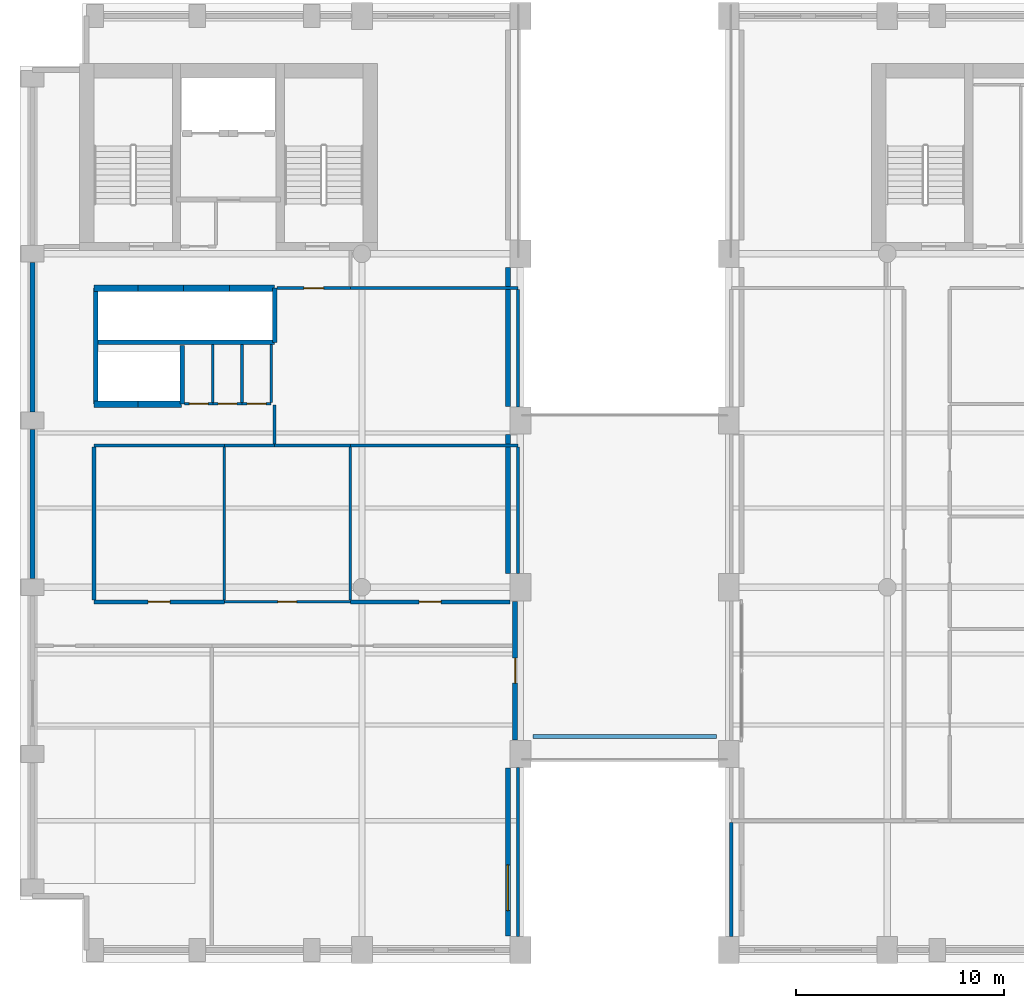
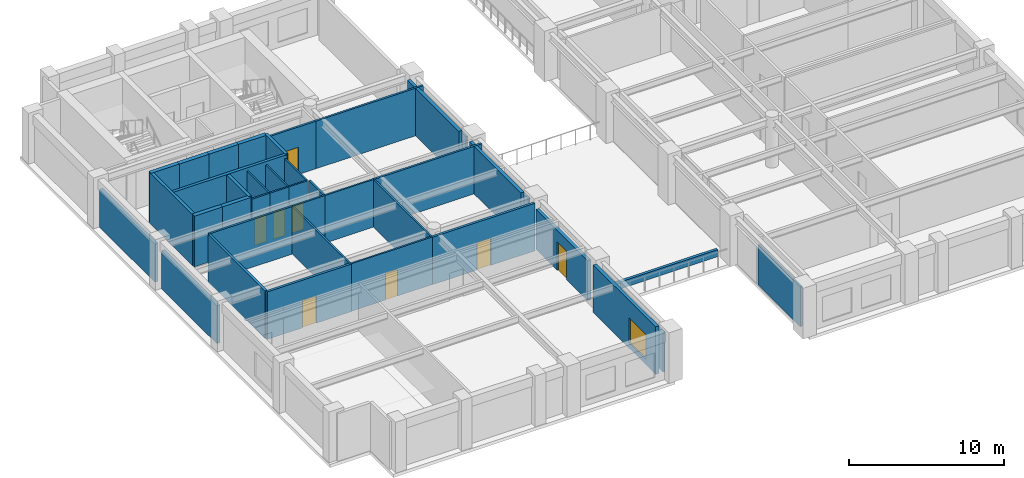
# One storey, part 4 of 10: 40 walls, 8 doors, 1 window, 9 openings.
"""IFC4 building model written with IfcOpenShell, lengths in metres."""

import ifcopenshell
import ifcopenshell.guid

model = None  # the IFC model being written
_history = None  # IfcOwnerHistory: only IFC2X3 demands one
_inside = {}  # id of a spatial element -> (the spatial element, [elements in it])
_under = {}  # id of a project, library or spatial element -> (it, [spatial elements below it])
_declared = {}  # id of a project -> (the project, [libraries it declares])
_typed = {}  # id of a type object -> (the type object, [elements of that type])
_made_of = {}  # id of a material, layer set ... -> (it, [elements and type objects made of it])


def new_model(schema):
    """Start an empty IFC model of exactly this schema.

    Asked for "IFC4X3", IfcOpenShell would pick the latest addendum, in which some entities
    have other attributes; the version numbers below select the first issue.
    IFC2X3 requires an IfcOwnerHistory on every rooted entity: one is made here for all.
    """
    global model, _history
    if schema == "IFC4X3":
        model = ifcopenshell.file(schema_version=(4, 3, 0, 0))
    else:
        model = ifcopenshell.file(schema=schema)
    _inside.clear()
    _under.clear()
    _declared.clear()
    _typed.clear()
    _made_of.clear()
    _history = None
    if model.schema == "IFC2X3":
        org = make("IfcOrganization", Name="unknown")
        user = make(
            "IfcPersonAndOrganization",
            ThePerson=make("IfcPerson", FamilyName="unknown"),
            TheOrganization=org,
        )
        app = make(
            "IfcApplication",
            ApplicationDeveloper=org,
            Version="unknown",
            ApplicationFullName="unknown",
            ApplicationIdentifier="unknown",
        )
        _history = make(
            "IfcOwnerHistory",
            OwningUser=user,
            OwningApplication=app,
            ChangeAction="ADDED",
            CreationDate=0,
        )
    return model


def make(cls, **values):
    """One entity of the class cls with the attributes given. An attribute that is None is left unset."""
    return model.create_entity(
        cls, **{name: value for name, value in values.items() if value is not None}
    )


def rooted(cls, **values):
    """An entity with a GlobalId (a new one), such as an element, a storey or a relation."""
    return make(cls, GlobalId=ifcopenshell.guid.new(), OwnerHistory=_history, **values)


def si_unit(unit_type, name, prefix=None):
    """IfcSIUnit, for example si_unit("LENGTHUNIT", "METRE", prefix="MILLI")."""
    return make("IfcSIUnit", UnitType=unit_type, Prefix=prefix, Name=name)


def assignment(units):
    """IfcUnitAssignment: the units of a project."""
    return None if units is None else make("IfcUnitAssignment", Units=units)


def point(xyz):
    """IfcCartesianPoint."""
    return None if xyz is None else make("IfcCartesianPoint", Coordinates=xyz)


def direction(xyz):
    """IfcDirection."""
    return None if xyz is None else make("IfcDirection", DirectionRatios=xyz)


def frame(location, z_axis=None, x_axis=None):
    """IfcAxis2Placement3D, a coordinate frame: its origin and axes. An axis left out is left unset."""
    return make(
        "IfcAxis2Placement3D",
        Location=point(location),
        Axis=direction(z_axis),
        RefDirection=direction(x_axis),
    )


def frame_2d(location, x_axis=None):
    """IfcAxis2Placement2D, a coordinate frame in the plane: its origin and x axis."""
    return make(
        "IfcAxis2Placement2D", Location=point(location), RefDirection=direction(x_axis)
    )


def origin():
    """The frame at (0, 0, 0) with its axes left unset."""
    return frame((0.0, 0.0, 0.0))


def place(relative_to, where):
    """IfcLocalPlacement: puts the frame where relative to a parent placement (None: the world)."""
    return make(
        "IfcLocalPlacement", PlacementRelTo=relative_to, RelativePlacement=where
    )


def context(
    kind, dimensions, precision=None, world=None, true_north=None, identifier=None
):
    """IfcGeometricRepresentationContext, for example the 3D "Model" context."""
    return make(
        "IfcGeometricRepresentationContext",
        ContextIdentifier=identifier,
        ContextType=kind,
        CoordinateSpaceDimension=dimensions,
        Precision=precision,
        WorldCoordinateSystem=world,
        TrueNorth=true_north,
    )


def subcontext(parent, identifier, kind, view, scale=None):
    """IfcGeometricRepresentationSubContext, for example "Body" below "Model"."""
    return make(
        "IfcGeometricRepresentationSubContext",
        ContextIdentifier=identifier,
        ContextType=kind,
        ParentContext=parent,
        TargetScale=scale,
        TargetView=view,
    )


def project(units=None, contexts=None):
    """IfcProject with its units and contexts."""
    return rooted(
        "IfcProject",
        Name="project",
        RepresentationContexts=contexts,
        UnitsInContext=assignment(units),
    )


def spatial(cls, under=None, at=None, **own):
    """A site, building, storey or space (cls), placed at a placement, below another one or the project."""
    s = rooted(cls, ObjectPlacement=at, **own)
    if under is not None:
        _under.setdefault(under.id(), (under, []))[1].append(s)
    return s


def profile(cls, at=None, kind="AREA", **sizes):
    """A parametric profile (cls). Its sizes go by their IFC names, for example OverallWidth=200.0."""
    return make(cls, ProfileType=kind, Position=at, **sizes)


def rectangle(**sizes):
    """IfcRectangleProfileDef."""
    return profile("IfcRectangleProfileDef", **sizes)


def extrude(swept, where, along, depth):
    """IfcExtrudedAreaSolid: the profile swept, set in the frame where, extruded along a direction by depth."""
    return make(
        "IfcExtrudedAreaSolid",
        SweptArea=swept,
        Position=where,
        ExtrudedDirection=direction(along),
        Depth=depth,
    )


def shape(context_of_items, identifier, shape_type, items):
    """IfcShapeRepresentation: the items that make up one representation, for example the "Body"."""
    return make(
        "IfcShapeRepresentation",
        ContextOfItems=context_of_items,
        RepresentationIdentifier=identifier,
        RepresentationType=shape_type,
        Items=items,
    )


def material(Name=None, Category=None):
    """IfcMaterial."""
    return make("IfcMaterial", Name=Name, Category=Category)


def layer(
    of_material, thickness, ventilated=None, Name=None, Category=None, Priority=None
):
    """IfcMaterialLayer: one layer of a wall or slab, of a material (None: an air gap)."""
    return make(
        "IfcMaterialLayer",
        Material=of_material,
        LayerThickness=thickness,
        IsVentilated=ventilated,
        Name=Name,
        Category=Category,
        Priority=Priority,
    )


def layer_set(layers, Name=None):
    """IfcMaterialLayerSet."""
    return make("IfcMaterialLayerSet", MaterialLayers=layers, LayerSetName=Name)


def made_of(thing, what):
    """Note that an element or type object is made of a material, layer set ...; save() writes the relation."""
    if what is not None:
        _made_of.setdefault(what.id(), (what, []))[1].append(thing)
    return thing


def type_object(cls, material=None, **own):
    """A type object (cls), such as IfcWallType, which elements share."""
    return made_of(rooted(cls, **own), material)


def element(
    cls,
    number,
    at=None,
    inside=None,
    cuts=None,
    type_object=None,
    material=None,
    context=None,
    identifier="Body",
    shape_type=None,
    held_by="IfcProductDefinitionShape",
    body=None,
    shapes=None,
    **own,
):
    """One element of the class cls, such as IfcWall. Its Tag is "e" and its number.

    at: its placement. inside: the storey or other place that contains it. cuts: it is an
    opening in that element (IfcRelVoidsElement). A single representation is given by context,
    identifier, shape_type and body (its items); several are given by shapes. held_by: the class
    of the entity that holds the representations. save() writes the other relations.
    """
    e = rooted(cls, Tag="e%d" % number, ObjectPlacement=at, **own)
    if body is not None:
        shapes = [shape(context, identifier, shape_type, body)]
    if shapes is not None:
        e.Representation = make(held_by, Representations=shapes)
    if inside is not None:
        _inside.setdefault(inside.id(), (inside, []))[1].append(e)
    if cuts is not None:
        rooted(
            "IfcRelVoidsElement", RelatingBuildingElement=cuts, RelatedOpeningElement=e
        )
    if type_object is not None:
        _typed.setdefault(type_object.id(), (type_object, []))[1].append(e)
    return made_of(e, material)


def fill(opening, filler):
    """IfcRelFillsElement: the door or window that sits in an opening."""
    return rooted(
        "IfcRelFillsElement",
        RelatingOpeningElement=opening,
        RelatedBuildingElement=filler,
    )


def aggregate(whole, parts):
    """IfcRelAggregates: a whole, such as a stair, and the parts it consists of."""
    return rooted("IfcRelAggregates", RelatingObject=whole, RelatedObjects=parts)


def save(model, path):
    """Write the relations noted so far, then the file.

    IfcRelAggregates (storeys below a building ...), IfcRelContainedInSpatialStructure (elements
    in a storey), IfcRelDefinesByType, IfcRelAssociatesMaterial and IfcRelDeclares: one each for
    every whole, place, type object, material and project.
    """
    for whole, parts in _under.values():
        aggregate(whole, parts)
    for where, things in _inside.values():
        rooted(
            "IfcRelContainedInSpatialStructure",
            RelatedElements=things,
            RelatingStructure=where,
        )
    for kind, things in _typed.values():
        rooted("IfcRelDefinesByType", RelatedObjects=things, RelatingType=kind)
    for what, things in _made_of.values():
        rooted("IfcRelAssociatesMaterial", RelatedObjects=things, RelatingMaterial=what)
    for by, libraries in _declared.values():
        rooted("IfcRelDeclares", RelatingContext=by, RelatedDefinitions=libraries)
    model.write(path)


model = new_model("IFC4")

# Units and contexts
model_context = context("Model", 3, precision=1e-05, world=origin(), true_north=direction((0.0, 1.0)))
body_context = subcontext(model_context, "Body", "Model", "MODEL_VIEW")
ifc_project = project(units=[si_unit("LENGTHUNIT", "METRE"), si_unit("AREAUNIT", "SQUARE_METRE"), si_unit("VOLUMEUNIT", "CUBIC_METRE"), si_unit("PLANEANGLEUNIT", "RADIAN"), si_unit("MASSUNIT", "GRAM", prefix="KILO")], contexts=[model_context])

# Site, building, storey
site_placement = place(None, origin())
site = spatial("IfcSite", under=ifc_project, at=site_placement, CompositionType="ELEMENT")
building_placement = place(site_placement, origin())
building = spatial("IfcBuilding", under=site, at=building_placement, Name="Sulina Concourse Tower", CompositionType="ELEMENT")
storey_placement = place(building_placement, frame((0.0, 0.0, 182.60009765625)))
storey = spatial("IfcBuildingStorey", under=building, at=storey_placement, Name="L44", CompositionType="ELEMENT", Elevation=182.60009765625)

# Walls
ifc_material_1 = material(Name="Concrete C50/60", Category="concrete")
ifc_layer_1 = layer(ifc_material_1, 0.219970703125)
ifc_layer_set_1 = layer_set([ifc_layer_1], Name="Concrete C50/60")
wall_type_1 = type_object("IfcWallType", Name="Core Lift Hoistway Divider Wall 220mm", PredefinedType="SOLIDWALL", material=ifc_layer_set_1)
wall_1_placement = place(storey_placement, frame((3.550048828125, 29.75, 0.0), z_axis=(0.0, 0.0, 1.0), x_axis=(1.0, 0.0, 0.0)))
element("IfcWall", 1, at=wall_1_placement, inside=storey, type_object=wall_type_1, Name="L44 shaft divider wall HW-LP3-S", PredefinedType="SOLIDWALL", context=body_context, shape_type="SweptSolid", body=[
    extrude(rectangle(XDim=8.64990234375, YDim=0.219970703125, at=frame_2d((4.324951171875, 0.0))), origin(), (0.0, 0.0, 1.0), 4.0),
])
wall_2_placement = place(storey_placement, frame((3.6298828125, 26.800048828125, 0.0), z_axis=(0.0, 0.0, 1.0), x_axis=(0.0, 1.0, 0.0)))
element("IfcWall", 2, at=wall_2_placement, inside=storey, type_object=wall_type_1, Name="L44 shaft divider wall HW-LP3-W", PredefinedType="SOLIDWALL", context=body_context, shape_type="SweptSolid", body=[
    extrude(rectangle(XDim=5.550048828125, YDim=0.219970703125, at=frame_2d((2.77490234375, 0.0))), origin(), (0.0, 0.0, 1.0), 4.0),
])
wall_3_placement = place(storey_placement, frame((7.780029296875, 26.800048828125, 0.0), z_axis=(0.0, 0.0, 1.0), x_axis=(0.0, 1.0, 0.0)))
element("IfcWall", 3, at=wall_3_placement, inside=storey, type_object=wall_type_1, Name="L44 shaft divider wall HW-EXP-E", PredefinedType="SOLIDWALL", context=body_context, shape_type="SweptSolid", body=[
    extrude(rectangle(XDim=2.800048828125, YDim=0.219970703125, at=frame_2d((1.39990234375, 0.0))), origin(), (0.0, 0.0, 1.0), 4.0),
])
wall_4_placement = place(storey_placement, frame((12.219970703125, 29.75, 0.0), z_axis=(0.0, 0.0, 1.0), x_axis=(0.0, 1.0, 0.0)))
element("IfcWall", 4, at=wall_4_placement, inside=storey, type_object=wall_type_1, Name="L44 shaft divider wall HW-LP3-E", PredefinedType="SOLIDWALL", context=body_context, shape_type="SweptSolid", body=[
    extrude(rectangle(XDim=2.60009765625, YDim=0.219970703125, at=frame_2d((1.300048828125, 0.0))), origin(), (0.0, 0.0, 1.0), 4.0),
])
ifc_material_2 = material(Name="Concrete C50/60", Category="concrete")
ifc_layer_2 = layer(ifc_material_2, 0.300048828125)
ifc_layer_set_2 = layer_set([ifc_layer_2], Name="Concrete C50/60")
wall_type_2 = type_object("IfcWallType", Name="Core Lift Hoistway Wall 300mm", PredefinedType="SOLIDWALL", material=ifc_layer_set_2)
wall_5_placement = place(storey_placement, frame((3.550048828125, 32.35009765625, 0.0), z_axis=(0.0, 0.0, 1.0), x_axis=(1.0, 0.0, 0.0)))
element("IfcWall", 5, at=wall_5_placement, inside=storey, type_object=wall_type_2, Name="L44 hoistway enclosure wall LP-09", PredefinedType="SOLIDWALL", context=body_context, shape_type="SweptSolid", body=[
    extrude(rectangle(XDim=2.099853515625, YDim=0.300048828125, at=frame_2d((1.0498046875, 0.0))), origin(), (0.0, 0.0, 1.0), 4.0),
])
wall_6_placement = place(storey_placement, frame((5.64990234375, 32.35009765625, 0.0), z_axis=(0.0, 0.0, 1.0), x_axis=(1.0, 0.0, 0.0)))
element("IfcWall", 6, at=wall_6_placement, inside=storey, type_object=wall_type_2, Name="L44 hoistway enclosure wall LP-10", PredefinedType="SOLIDWALL", context=body_context, shape_type="SweptSolid", body=[
    extrude(rectangle(XDim=2.2001953125, YDim=0.300048828125, at=frame_2d((1.10009765625, 0.0))), origin(), (0.0, 0.0, 1.0), 4.0),
])
wall_7_placement = place(storey_placement, frame((7.85009765625, 32.35009765625, 0.0), z_axis=(0.0, 0.0, 1.0), x_axis=(1.0, 0.0, 0.0)))
element("IfcWall", 7, at=wall_7_placement, inside=storey, type_object=wall_type_2, Name="L44 hoistway enclosure wall LP-11", PredefinedType="SOLIDWALL", context=body_context, shape_type="SweptSolid", body=[
    extrude(rectangle(XDim=2.199951171875, YDim=0.300048828125, at=frame_2d((1.10009765625, 0.0))), origin(), (0.0, 0.0, 1.0), 4.0),
])
wall_8_placement = place(storey_placement, frame((10.050048828125, 32.35009765625, 0.0), z_axis=(0.0, 0.0, 1.0), x_axis=(1.0, 0.0, 0.0)))
element("IfcWall", 8, at=wall_8_placement, inside=storey, type_object=wall_type_2, Name="L44 hoistway enclosure wall LP-12", PredefinedType="SOLIDWALL", context=body_context, shape_type="SweptSolid", body=[
    extrude(rectangle(XDim=2.14990234375, YDim=0.300048828125, at=frame_2d((1.074951171875, 0.0))), origin(), (0.0, 0.0, 1.0), 4.0),
])
wall_9_placement = place(storey_placement, frame((5.64990234375, 26.780029296875, 0.0), z_axis=(0.0, 0.0, 1.0), x_axis=(-1.0, 0.0, 0.0)))
element("IfcWall", 9, at=wall_9_placement, inside=storey, type_object=wall_type_2, Name="L44 hoistway enclosure wall EXP-1", PredefinedType="SOLIDWALL", context=body_context, shape_type="SweptSolid", body=[
    extrude(rectangle(XDim=2.099853515625, YDim=0.300048828125, at=frame_2d((1.0498046875, 0.0))), origin(), (0.0, 0.0, 1.0), 4.0),
])
wall_10_placement = place(storey_placement, frame((7.75, 26.780029296875, 0.0), z_axis=(0.0, 0.0, 1.0), x_axis=(-1.0, 0.0, 0.0)))
element("IfcWall", 10, at=wall_10_placement, inside=storey, type_object=wall_type_2, Name="L44 hoistway enclosure wall EXP-2", PredefinedType="SOLIDWALL", context=body_context, shape_type="SweptSolid", body=[
    extrude(rectangle(XDim=2.10009765625, YDim=0.300048828125, at=frame_2d((1.050048828125, 0.0))), origin(), (0.0, 0.0, 1.0), 4.0),
])
ifc_material_3 = material(Name="Precast concrete C50/60", Category="concrete")
ifc_layer_3 = layer(ifc_material_3, 0.239990234375)
ifc_layer_set_3 = layer_set([ifc_layer_3], Name="Precast concrete C50/60")
wall_type_3 = type_object("IfcWallType", Name="Crown Precast Masonry-Frame Facade Wall 240mm", PredefinedType="SOLIDWALL", material=ifc_layer_set_3)
for number, where, z_axis, x_axis, name in (
    (11, (0.60009765625, 18.419921875, 0.0), (0.0, 0.0, 1.0), (0.0, 1.0, 0.0), "L44 exterior precast wall W3"),
    (12, (0.60009765625, 26.419921875, 0.0), (0.0, 0.0, 1.0), (0.0, 1.0, 0.0), "L44 exterior precast wall W4"),
):
    element("IfcWall", number, at=place(storey_placement, frame(where, z_axis=z_axis, x_axis=x_axis)), inside=storey, type_object=wall_type_3, Name=name, PredefinedType="SOLIDWALL", context=body_context, shape_type="SweptSolid", body=[
        extrude(rectangle(XDim=7.16015625, YDim=0.239990234375, at=frame_2d((3.580078125, 0.0))), origin(), (0.0, 0.0, 1.0), 3.0),
    ])

# Wall, opening, window
wall_11_placement = place(storey_placement, frame((23.39990234375, 9.330078125, 0.0), z_axis=(0.0, 0.0, 1.0), x_axis=(0.0, -1.0, 0.0)))
wall_11 = element("IfcWall", 13, at=wall_11_placement, inside=storey, type_object=wall_type_3, Name="L44 exterior precast wall PW1", PredefinedType="SOLIDWALL", context=body_context, shape_type="SweptSolid", body=[
    extrude(rectangle(XDim=8.06005859375, YDim=0.239990234375, at=frame_2d((4.030029296875, 0.0))), origin(), (0.0, 0.0, 1.0), 3.75),
])
opening_1_placement = place(wall_11_placement, frame((4.639892578125, 0.0, 0.419921875)))
opening_1 = element("IfcOpeningElement", 14, at=opening_1_placement, cuts=wall_11, Name="Opening WN-76", PredefinedType="OPENING", context=body_context, shape_type="SweptSolid", body=[
    extrude(rectangle(XDim=2.199951171875, YDim=1.949951171875, at=frame_2d((1.10009765625, 0.97509765625))), frame((0.0, 0.1298828125, 0.0), z_axis=(0.0, -1.0, 0.0), x_axis=(1.0, 0.0, 0.0)), (0.0, 0.0, 1.0), 0.260009765625),
])
ifc_material_4 = material(Name="Low-E solar double glazing in bronze aluminium", Category="aluminium")
window_type = type_object("IfcWindowType", Name="Recessed Spandrel Window 2200x1950", PartitioningType="DOUBLE_PANEL_VERTICAL", PredefinedType="WINDOW", material=ifc_material_4)
window_placement = place(opening_1_placement, origin())
window = element("IfcWindow", 15, at=window_placement, inside=storey, type_object=window_type, Name="L44 punched window PW1-1", OverallHeight=1.949951171875, OverallWidth=2.199951171875, PartitioningType="SINGLE_PANEL", PredefinedType="WINDOW", context=body_context, shape_type="SweptSolid", body=[
    extrude(rectangle(XDim=2.199951171875, YDim=1.949951171875, at=frame_2d((1.10009765625, 0.97509765625))), frame((0.0, 0.030029296875, 0.0), z_axis=(0.0, -1.0, 0.0), x_axis=(1.0, 0.0, 0.0)), (0.0, 0.0, 1.0), 0.06005859375),
])
fill(opening_1, window)

# Wall, opening, door
wall_12_placement = place(storey_placement, frame((23.75, 17.330078125, 0.0), z_axis=(0.0, 0.0, 1.0), x_axis=(0.0, -1.0, 0.0)))
wall_12 = element("IfcWall", 16, at=wall_12_placement, inside=storey, type_object=wall_type_3, Name="L44 exterior precast wall PW2", PredefinedType="SOLIDWALL", context=body_context, shape_type="SweptSolid", body=[
    extrude(rectangle(XDim=6.66015625, YDim=0.239990234375, at=frame_2d((3.330078125, 0.0))), origin(), (0.0, 0.0, 1.0), 3.14990234375),
])
opening_2_placement = place(wall_12_placement, frame((2.72998046875, 0.0, 0.0)))
opening_2 = element("IfcOpeningElement", 17, at=opening_2_placement, cuts=wall_12, Name="Opening DR-22", PredefinedType="OPENING", context=body_context, shape_type="SweptSolid", body=[
    extrude(rectangle(XDim=1.199951171875, YDim=2.25, at=frame_2d((0.60009765625, 1.125))), frame((0.0, 0.1298828125, 0.0), z_axis=(0.0, -1.0, 0.0), x_axis=(1.0, 0.0, 0.0)), (0.0, 0.0, 1.0), 0.260009765625),
])
ifc_material_5 = material(Name="Anodised bronze aluminium and glazed leaf", Category="aluminium")
ifc_layer_4 = layer(ifc_material_5, 0.054931640625)
ifc_layer_set_4 = layer_set([ifc_layer_4], Name="Anodised bronze aluminium and glazed leaf")
door_type_1 = type_object("IfcDoorType", Name="Planted Terrace & Sky-Deck Door 1200x2250", OperationType="NOTDEFINED", PredefinedType="DOOR", material=ifc_layer_set_4)
door_1_placement = place(opening_2_placement, origin())
door_1 = element("IfcDoor", 18, at=door_1_placement, inside=storey, type_object=door_type_1, Name="L44 exterior door TD-PW", OperationType="SINGLE_SWING_RIGHT", OverallHeight=2.25, OverallWidth=1.199951171875, PredefinedType="DOOR", context=body_context, shape_type="SweptSolid", body=[
    extrude(rectangle(XDim=1.199951171875, YDim=2.25, at=frame_2d((0.60009765625, 1.125))), frame((0.0, 0.02490234375, 0.0), z_axis=(0.0, -1.0, 0.0), x_axis=(1.0, 0.0, 0.0)), (0.0, 0.0, 1.0), 0.050048828125),
])
fill(opening_2, door_1)

# Walls
for number, where, z_axis, x_axis, name in (
    (19, (23.39990234375, 25.330078125, 0.0), (0.0, 0.0, 1.0), (0.0, -1.0, 0.0), "L44 exterior precast wall PW3"),
    (20, (23.39990234375, 33.330078125, 0.0), (0.0, 0.0, 1.0), (0.0, -1.0, 0.0), "L44 exterior precast wall PW4"),
):
    element("IfcWall", number, at=place(storey_placement, frame(where, z_axis=z_axis, x_axis=x_axis)), inside=storey, type_object=wall_type_3, Name=name, PredefinedType="SOLIDWALL", context=body_context, shape_type="SweptSolid", body=[
        extrude(rectangle(XDim=6.66015625, YDim=0.239990234375, at=frame_2d((3.330078125, 0.0))), origin(), (0.0, 0.0, 1.0), 3.75),
    ])
ifc_material_6 = material(Name="Gypsum board on steel stud", Category="steel")
ifc_layer_5 = layer(ifc_material_6, 0.14990234375)
ifc_layer_set_5 = layer_set([ifc_layer_5], Name="Gypsum board on steel stud")
wall_type_4 = type_object("IfcWallType", Name="Inter-Tenancy Acoustic Partition 150mm", PredefinedType="PARTITIONING", material=ifc_layer_set_5)
wall_13_placement = place(storey_placement, frame((3.550048828125, 24.800048828125, 0.0), z_axis=(0.0, 0.0, 1.0), x_axis=(1.0, 0.0, 0.0)))
element("IfcWall", 21, at=wall_13_placement, inside=storey, type_object=wall_type_4, Name="L44 interior partition 012", PredefinedType="PARTITIONING", context=body_context, shape_type="SweptSolid", body=[
    extrude(rectangle(XDim=6.25, YDim=0.14990234375, at=frame_2d((3.125, 0.0))), origin(), (0.0, 0.0, 1.0), 3.75),
])
wall_14_placement = place(storey_placement, frame((15.85009765625, 24.800048828125, 0.0), z_axis=(0.0, 0.0, 1.0), x_axis=(1.0, 0.0, 0.0)))
element("IfcWall", 22, at=wall_14_placement, inside=storey, type_object=wall_type_4, Name="L44 interior partition 015", PredefinedType="PARTITIONING", context=body_context, shape_type="SweptSolid", body=[
    extrude(rectangle(XDim=8.02978515625, YDim=0.14990234375, at=frame_2d((4.014892578125, 0.0))), origin(), (0.0, 0.0, 1.0), 3.75),
])

# Wall, opening, door
wall_15_placement = place(storey_placement, frame((12.330078125, 32.35009765625, 0.0), z_axis=(0.0, 0.0, 1.0), x_axis=(1.0, 0.0, 0.0)))
wall_15 = element("IfcWall", 23, at=wall_15_placement, inside=storey, type_object=wall_type_4, Name="L44 interior partition 021", PredefinedType="PARTITIONING", context=body_context, shape_type="SweptSolid", body=[
    extrude(rectangle(XDim=3.52001953125, YDim=0.14990234375, at=frame_2d((1.760009765625, 0.0))), origin(), (0.0, 0.0, 1.0), 3.75),
])
opening_3_placement = place(wall_15_placement, frame((1.284912109375, 0.0, 0.0)))
opening_3 = element("IfcOpeningElement", 24, at=opening_3_placement, cuts=wall_15, Name="Opening DR-19", PredefinedType="OPENING", context=body_context, shape_type="SweptSolid", body=[
    extrude(rectangle(XDim=0.949951171875, YDim=2.14990234375, at=frame_2d((0.47509765625, 1.074951171875))), frame((0.0, 0.0849609375, 0.0), z_axis=(0.0, -1.0, 0.0), x_axis=(1.0, 0.0, 0.0)), (0.0, 0.0, 1.0), 0.169921875),
])
ifc_material_7 = material(Name="Oak-veneered acoustic timber leaf", Category="wood")
ifc_layer_6 = layer(ifc_material_7, 0.050048828125)
ifc_layer_set_6 = layer_set([ifc_layer_6], Name="Oak-veneered acoustic timber leaf")
door_type_2 = type_object("IfcDoorType", Name="Cellular Office & Meeting Door 950x2150", OperationType="NOTDEFINED", PredefinedType="DOOR", material=ifc_layer_set_6)
door_2_placement = place(opening_3_placement, origin())
door_2 = element("IfcDoor", 25, at=door_2_placement, inside=storey, type_object=door_type_2, Name="L44 interior door L44-MR-MRG1", OperationType="SINGLE_SWING_LEFT", OverallHeight=2.14990234375, OverallWidth=0.949951171875, PredefinedType="DOOR", context=body_context, shape_type="SweptSolid", body=[
    extrude(rectangle(XDim=0.949951171875, YDim=2.14990234375, at=frame_2d((0.47509765625, 1.074951171875))), frame((0.0, 0.02490234375, 0.0), z_axis=(0.0, -1.0, 0.0), x_axis=(1.0, 0.0, 0.0)), (0.0, 0.0, 1.0), 0.050048828125),
])
fill(opening_3, door_2)

# Walls
wall_16_placement = place(storey_placement, frame((15.85009765625, 32.35009765625, 0.0), z_axis=(0.0, 0.0, 1.0), x_axis=(1.0, 0.0, 0.0)))
element("IfcWall", 26, at=wall_16_placement, inside=storey, type_object=wall_type_4, Name="L44 interior partition 022", PredefinedType="PARTITIONING", context=body_context, shape_type="SweptSolid", body=[
    extrude(rectangle(XDim=8.02978515625, YDim=0.14990234375, at=frame_2d((4.014892578125, 0.0))), origin(), (0.0, 0.0, 1.0), 3.75),
])
wall_17_placement = place(storey_placement, frame((12.199951171875, 24.862548828125, 0.0), z_axis=(0.0, 0.0, 1.0), x_axis=(0.0, 1.0, 0.0)))
element("IfcWall", 27, at=wall_17_placement, inside=storey, type_object=wall_type_4, Name="L44 interior partition 039", PredefinedType="PARTITIONING", context=body_context, shape_type="SweptSolid", body=[
    extrude(rectangle(XDim=1.875, YDim=0.14990234375, at=frame_2d((0.9375, 0.0))), origin(), (0.0, 0.0, 1.0), 3.75),
])
wall_18_placement = place(storey_placement, frame((23.8798828125, 1.25, 0.0), z_axis=(0.0, 0.0, 1.0), x_axis=(0.0, 1.0, 0.0)))
element("IfcWall", 28, at=wall_18_placement, inside=storey, type_object=wall_type_4, Name="L44 interior partition 042", PredefinedType="PARTITIONING", context=body_context, shape_type="SweptSolid", body=[
    extrude(rectangle(XDim=8.10009765625, YDim=0.14990234375, at=frame_2d((4.050048828125, 0.0))), origin(), (0.0, 0.0, 1.0), 3.14501953125),
])
wall_19_placement = place(storey_placement, frame((23.8798828125, 18.64990234375, 0.0), z_axis=(0.0, 0.0, 1.0), x_axis=(0.0, 1.0, 0.0)))
element("IfcWall", 29, at=wall_19_placement, inside=storey, type_object=wall_type_4, Name="L44 interior partition 043", PredefinedType="PARTITIONING", context=body_context, shape_type="SweptSolid", body=[
    extrude(rectangle(XDim=6.0751953125, YDim=0.14990234375, at=frame_2d((3.03759765625, 0.0))), origin(), (0.0, 0.0, 1.0), 3.14501953125),
])
wall_20_placement = place(storey_placement, frame((23.8798828125, 26.64990234375, 0.0), z_axis=(0.0, 0.0, 1.0), x_axis=(0.0, 1.0, 0.0)))
element("IfcWall", 30, at=wall_20_placement, inside=storey, type_object=wall_type_4, Name="L44 interior partition 044", PredefinedType="PARTITIONING", context=body_context, shape_type="SweptSolid", body=[
    extrude(rectangle(XDim=5.625, YDim=0.14990234375, at=frame_2d((2.8125, 0.0))), origin(), (0.0, 0.0, 1.0), 3.14501953125),
])
wall_21_placement = place(storey_placement, frame((34.1201171875, 1.25, 0.0), z_axis=(0.0, 0.0, 1.0), x_axis=(0.0, 1.0, 0.0)))
element("IfcWall", 31, at=wall_21_placement, inside=storey, type_object=wall_type_4, Name="L44 interior partition 045", PredefinedType="PARTITIONING", context=body_context, shape_type="SweptSolid", body=[
    extrude(rectangle(XDim=5.47509765625, YDim=0.14990234375, at=frame_2d((2.737548828125, 0.0))), origin(), (0.0, 0.0, 1.0), 3.14501953125),
])
ifc_material_8 = material(Name="Precast concrete C50/60", Category="concrete")
ifc_layer_7 = layer(ifc_material_8, 0.199951171875)
ifc_layer_set_7 = layer_set([ifc_layer_7], Name="Precast concrete C50/60")
wall_type_5 = type_object("IfcWallType", Name="Landscaped Terrace Planter Wall 200mm", PredefinedType="USERDEFINED", material=ifc_layer_set_7)
wall_22_placement = place(storey_placement, frame((24.60009765625, 10.85009765625, 0.0), z_axis=(0.0, 0.0, 1.0), x_axis=(1.0, 0.0, 0.0)))
element("IfcWall", 32, at=wall_22_placement, inside=storey, type_object=wall_type_5, Name="L44 landscaped terrace planter wall TER-WP1", ObjectType="PLANTER", PredefinedType="USERDEFINED", context=body_context, shape_type="SweptSolid", body=[
    extrude(rectangle(XDim=8.7998046875, YDim=0.199951171875, at=frame_2d((4.39990234375, 0.0))), origin(), (0.0, 0.0, 1.0), 0.5498046875),
])

# Wall, opening, door
ifc_material_9 = material(Name="Gypsum board on steel stud", Category="steel")
ifc_layer_8 = layer(ifc_material_9, 0.179931640625)
ifc_layer_set_8 = layer_set([ifc_layer_8], Name="Gypsum board on steel stud")
wall_type_6 = type_object("IfcWallType", Name="Protected Corridor & Riser Partition 180mm", PredefinedType="PARTITIONING", material=ifc_layer_set_8)
wall_23_placement = place(storey_placement, frame((3.550048828125, 17.300048828125, 0.0), z_axis=(0.0, 0.0, 1.0), x_axis=(1.0, 0.0, 0.0)))
wall_23 = element("IfcWall", 33, at=wall_23_placement, inside=storey, type_object=wall_type_6, Name="L44 interior partition 008", PredefinedType="PARTITIONING", context=body_context, shape_type="SweptSolid", body=[
    extrude(rectangle(XDim=6.25, YDim=0.179931640625, at=frame_2d((3.125, 0.0))), origin(), (0.0, 0.0, 1.0), 3.75),
])
opening_4_placement = place(wall_23_placement, frame((2.60009765625, 0.0, 0.0)))
opening_4 = element("IfcOpeningElement", 34, at=opening_4_placement, cuts=wall_23, Name="Opening DR-37", PredefinedType="OPENING", context=body_context, shape_type="SweptSolid", body=[
    extrude(rectangle(XDim=1.050048828125, YDim=2.14990234375, at=frame_2d((0.52490234375, 1.074951171875))), frame((0.0, 0.099853515625, 0.0), z_axis=(0.0, -1.0, 0.0), x_axis=(1.0, 0.0, 0.0)), (0.0, 0.0, 1.0), 0.199951171875),
])
ifc_material_10 = material(Name="Oak-veneered fire door leaf")
ifc_layer_9 = layer(ifc_material_10, 0.050048828125)
ifc_layer_set_9 = layer_set([ifc_layer_9], Name="Oak-veneered fire door leaf")
door_type_3 = type_object("IfcDoorType", Name="Tenant Suite Entrance Fire Door 1050x2150", OperationType="NOTDEFINED", PredefinedType="DOOR", material=ifc_layer_set_9)
door_3_placement = place(opening_4_placement, origin())
door_3 = element("IfcDoor", 35, at=door_3_placement, inside=storey, type_object=door_type_3, Name="L44 interior door L44-LR-MRG1", OperationType="SINGLE_SWING_LEFT", OverallHeight=2.14990234375, OverallWidth=1.050048828125, PredefinedType="DOOR", context=body_context, shape_type="SweptSolid", body=[
    extrude(rectangle(XDim=1.050048828125, YDim=2.14990234375, at=frame_2d((0.52490234375, 1.074951171875))), frame((0.0, 0.02490234375, 0.0), z_axis=(0.0, -1.0, 0.0), x_axis=(1.0, 0.0, 0.0)), (0.0, 0.0, 1.0), 0.050048828125),
])
fill(opening_4, door_3)

wall_24_placement = place(storey_placement, frame((15.85009765625, 17.300048828125, 0.0), z_axis=(0.0, 0.0, 1.0), x_axis=(1.0, 0.0, 0.0)))
wall_24 = element("IfcWall", 36, at=wall_24_placement, inside=storey, type_object=wall_type_6, Name="L44 interior partition 010", PredefinedType="PARTITIONING", context=body_context, shape_type="SweptSolid", body=[
    extrude(rectangle(XDim=7.64990234375, YDim=0.179931640625, at=frame_2d((3.824951171875, 0.0))), origin(), (0.0, 0.0, 1.0), 3.75),
])
opening_5_placement = place(wall_24_placement, frame((3.300048828125, 0.0, 0.0)))
opening_5 = element("IfcOpeningElement", 37, at=opening_5_placement, cuts=wall_24, Name="Opening DR-37", PredefinedType="OPENING", context=body_context, shape_type="SweptSolid", body=[
    extrude(rectangle(XDim=1.050048828125, YDim=2.14990234375, at=frame_2d((0.52490234375, 1.074951171875))), frame((0.0, 0.099853515625, 0.0), z_axis=(0.0, -1.0, 0.0), x_axis=(1.0, 0.0, 0.0)), (0.0, 0.0, 1.0), 0.199951171875),
])
door_4_placement = place(opening_5_placement, origin())
door_4 = element("IfcDoor", 38, at=door_4_placement, inside=storey, type_object=door_type_3, Name="L44 interior door L44-TER-LNG", OperationType="SINGLE_SWING_LEFT", OverallHeight=2.14990234375, OverallWidth=1.050048828125, PredefinedType="DOOR", context=body_context, shape_type="SweptSolid", body=[
    extrude(rectangle(XDim=1.050048828125, YDim=2.14990234375, at=frame_2d((0.52490234375, 1.074951171875))), frame((0.0, 0.02490234375, 0.0), z_axis=(0.0, -1.0, 0.0), x_axis=(1.0, 0.0, 0.0)), (0.0, 0.0, 1.0), 0.050048828125),
])
fill(opening_5, door_4)

# Wall
wall_25_placement = place(storey_placement, frame((3.550048828125, 17.389892578125, 0.0), z_axis=(0.0, 0.0, 1.0), x_axis=(0.0, 1.0, 0.0)))
element("IfcWall", 39, at=wall_25_placement, inside=storey, type_object=wall_type_6, Name="L44 interior partition 032", PredefinedType="PARTITIONING", context=body_context, shape_type="SweptSolid", body=[
    extrude(rectangle(XDim=7.335205078125, YDim=0.179931640625, at=frame_2d((3.66748046875, 0.0))), origin(), (0.0, 0.0, 1.0), 3.75),
])

# Wall, opening, door
ifc_material_11 = material(Name="Gypsum board on steel stud", Category="steel")
ifc_layer_10 = layer(ifc_material_11, 0.125)
ifc_layer_set_10 = layer_set([ifc_layer_10], Name="Gypsum board on steel stud")
wall_type_7 = type_object("IfcWallType", Name="Wet-Area Moisture-Resistant Partition 125mm", PredefinedType="PARTITIONING", material=ifc_layer_set_10)
wall_26_placement = place(storey_placement, frame((9.800048828125, 17.300048828125, 0.0), z_axis=(0.0, 0.0, 1.0), x_axis=(1.0, 0.0, 0.0)))
wall_26 = element("IfcWall", 40, at=wall_26_placement, inside=storey, type_object=wall_type_7, Name="L44 interior partition 009", PredefinedType="PARTITIONING", context=body_context, shape_type="SweptSolid", body=[
    extrude(rectangle(XDim=6.050048828125, YDim=0.125, at=frame_2d((3.02490234375, 0.0))), origin(), (0.0, 0.0, 1.0), 3.75),
])
opening_6_placement = place(wall_26_placement, frame((2.574951171875, 0.0, 0.0)))
opening_6 = element("IfcOpeningElement", 41, at=opening_6_placement, cuts=wall_26, Name="Opening DR-21", PredefinedType="OPENING", context=body_context, shape_type="SweptSolid", body=[
    extrude(rectangle(XDim=0.89990234375, YDim=2.10009765625, at=frame_2d((0.449951171875, 1.050048828125))), frame((0.0, 0.072509765625, 0.0), z_axis=(0.0, -1.0, 0.0), x_axis=(1.0, 0.0, 0.0)), (0.0, 0.0, 1.0), 0.14501953125),
])
ifc_material_12 = material(Name="Oak-veneered fire door leaf")
ifc_layer_11 = layer(ifc_material_12, 0.050048828125)
ifc_layer_set_11 = layer_set([ifc_layer_11], Name="Oak-veneered fire door leaf")
door_type_4 = type_object("IfcDoorType", Name="Restroom & Service Door 900x2100", OperationType="NOTDEFINED", PredefinedType="DOOR", material=ifc_layer_set_11)
door_5_placement = place(opening_6_placement, origin())
door_5 = element("IfcDoor", 42, at=door_5_placement, inside=storey, type_object=door_type_4, Name="L44 interior door L44-LR-MRG2", OperationType="SINGLE_SWING_RIGHT", OverallHeight=2.10009765625, OverallWidth=0.89990234375, PredefinedType="DOOR", context=body_context, shape_type="SweptSolid", body=[
    extrude(rectangle(XDim=0.89990234375, YDim=2.10009765625, at=frame_2d((0.449951171875, 1.050048828125))), frame((0.0, 0.02490234375, 0.0), z_axis=(0.0, -1.0, 0.0), x_axis=(1.0, 0.0, 0.0)), (0.0, 0.0, 1.0), 0.050048828125),
])
fill(opening_6, door_5)

# Walls
wall_27_placement = place(storey_placement, frame((9.800048828125, 24.800048828125, 0.0), z_axis=(0.0, 0.0, 1.0), x_axis=(1.0, 0.0, 0.0)))
element("IfcWall", 43, at=wall_27_placement, inside=storey, type_object=wall_type_7, Name="L44 interior partition 013", PredefinedType="PARTITIONING", context=body_context, shape_type="SweptSolid", body=[
    extrude(rectangle(XDim=2.39990234375, YDim=0.125, at=frame_2d((1.199951171875, 0.0))), origin(), (0.0, 0.0, 1.0), 3.75),
])
wall_28_placement = place(storey_placement, frame((12.199951171875, 24.800048828125, 0.0), z_axis=(0.0, 0.0, 1.0), x_axis=(1.0, 0.0, 0.0)))
element("IfcWall", 44, at=wall_28_placement, inside=storey, type_object=wall_type_7, Name="L44 interior partition 014", PredefinedType="PARTITIONING", context=body_context, shape_type="SweptSolid", body=[
    extrude(rectangle(XDim=3.650146484375, YDim=0.125, at=frame_2d((1.8251953125, 0.0))), origin(), (0.0, 0.0, 1.0), 3.75),
])

# Wall, opening, door
wall_29_placement = place(storey_placement, frame((7.889892578125, 26.800048828125, 0.0), z_axis=(0.0, 0.0, 1.0), x_axis=(1.0, 0.0, 0.0)))
wall_29 = element("IfcWall", 45, at=wall_29_placement, inside=storey, type_object=wall_type_7, Name="L44 interior partition 016", PredefinedType="PARTITIONING", context=body_context, shape_type="SweptSolid", body=[
    extrude(rectangle(XDim=1.360107421875, YDim=0.125, at=frame_2d((0.68017578125, 0.0))), origin(), (0.0, 0.0, 1.0), 3.75),
])
opening_7_placement = place(wall_29_placement, frame((0.22998046875, 0.0, 0.0)))
opening_7 = element("IfcOpeningElement", 46, at=opening_7_placement, cuts=wall_29, Name="Opening DR-21", PredefinedType="OPENING", context=body_context, shape_type="SweptSolid", body=[
    extrude(rectangle(XDim=0.89990234375, YDim=2.10009765625, at=frame_2d((0.449951171875, 1.050048828125))), frame((0.0, 0.072509765625, 0.0), z_axis=(0.0, -1.0, 0.0), x_axis=(1.0, 0.0, 0.0)), (0.0, 0.0, 1.0), 0.14501953125),
])
door_6_placement = place(opening_7_placement, origin())
door_6 = element("IfcDoor", 47, at=door_6_placement, inside=storey, type_object=door_type_4, Name="L44 interior door L44-WC-M", OperationType="SINGLE_SWING_RIGHT", OverallHeight=2.10009765625, OverallWidth=0.89990234375, PredefinedType="DOOR", context=body_context, shape_type="SweptSolid", body=[
    extrude(rectangle(XDim=0.89990234375, YDim=2.10009765625, at=frame_2d((0.449951171875, 1.050048828125))), frame((0.0, 0.02490234375, 0.0), z_axis=(0.0, -1.0, 0.0), x_axis=(1.0, 0.0, 0.0)), (0.0, 0.0, 1.0), 0.050048828125),
])
fill(opening_7, door_6)

wall_30_placement = place(storey_placement, frame((9.25, 26.800048828125, 0.0), z_axis=(0.0, 0.0, 1.0), x_axis=(1.0, 0.0, 0.0)))
wall_30 = element("IfcWall", 48, at=wall_30_placement, inside=storey, type_object=wall_type_7, Name="L44 interior partition 017", PredefinedType="PARTITIONING", context=body_context, shape_type="SweptSolid", body=[
    extrude(rectangle(XDim=1.39990234375, YDim=0.125, at=frame_2d((0.699951171875, 0.0))), origin(), (0.0, 0.0, 1.0), 3.75),
])
opening_8_placement = place(wall_30_placement, frame((0.25, 0.0, 0.0)))
opening_8 = element("IfcOpeningElement", 49, at=opening_8_placement, cuts=wall_30, Name="Opening DR-21", PredefinedType="OPENING", context=body_context, shape_type="SweptSolid", body=[
    extrude(rectangle(XDim=0.89990234375, YDim=2.10009765625, at=frame_2d((0.449951171875, 1.050048828125))), frame((0.0, 0.072509765625, 0.0), z_axis=(0.0, -1.0, 0.0), x_axis=(1.0, 0.0, 0.0)), (0.0, 0.0, 1.0), 0.14501953125),
])
door_7_placement = place(opening_8_placement, origin())
door_7 = element("IfcDoor", 50, at=door_7_placement, inside=storey, type_object=door_type_4, Name="L44 interior door L44-WC-F", OperationType="SINGLE_SWING_LEFT", OverallHeight=2.10009765625, OverallWidth=0.89990234375, PredefinedType="DOOR", context=body_context, shape_type="SweptSolid", body=[
    extrude(rectangle(XDim=0.89990234375, YDim=2.10009765625, at=frame_2d((0.449951171875, 1.050048828125))), frame((0.0, 0.02490234375, 0.0), z_axis=(0.0, -1.0, 0.0), x_axis=(1.0, 0.0, 0.0)), (0.0, 0.0, 1.0), 0.050048828125),
])
fill(opening_8, door_7)

wall_31_placement = place(storey_placement, frame((10.64990234375, 26.800048828125, 0.0), z_axis=(0.0, 0.0, 1.0), x_axis=(1.0, 0.0, 0.0)))
wall_31 = element("IfcWall", 51, at=wall_31_placement, inside=storey, type_object=wall_type_7, Name="L44 interior partition 018", PredefinedType="PARTITIONING", context=body_context, shape_type="SweptSolid", body=[
    extrude(rectangle(XDim=1.400146484375, YDim=0.125, at=frame_2d((0.7001953125, 0.0))), origin(), (0.0, 0.0, 1.0), 3.75),
])
opening_9_placement = place(wall_31_placement, frame((0.239990234375, 0.0, 0.0)))
opening_9 = element("IfcOpeningElement", 52, at=opening_9_placement, cuts=wall_31, Name="Opening DR-61", PredefinedType="OPENING", context=body_context, shape_type="SweptSolid", body=[
    extrude(rectangle(XDim=0.919921875, YDim=2.10009765625, at=frame_2d((0.4599609375, 1.050048828125))), frame((0.0, 0.072509765625, 0.0), z_axis=(0.0, -1.0, 0.0), x_axis=(1.0, 0.0, 0.0)), (0.0, 0.0, 1.0), 0.14501953125),
])
ifc_material_13 = material(Name="Oak-veneered fire door leaf")
ifc_layer_12 = layer(ifc_material_13, 0.050048828125)
ifc_layer_set_12 = layer_set([ifc_layer_12], Name="Oak-veneered fire door leaf")
door_type_5 = type_object("IfcDoorType", Name="Accessible WC Door 920x2100", OperationType="NOTDEFINED", PredefinedType="DOOR", material=ifc_layer_set_12)
door_8_placement = place(opening_9_placement, origin())
door_8 = element("IfcDoor", 53, at=door_8_placement, inside=storey, type_object=door_type_5, Name="L44 interior door L44-WC-ACC", OperationType="SINGLE_SWING_RIGHT", OverallHeight=2.10009765625, OverallWidth=0.919921875, PredefinedType="DOOR", context=body_context, shape_type="SweptSolid", body=[
    extrude(rectangle(XDim=0.919921875, YDim=2.10009765625, at=frame_2d((0.4599609375, 1.050048828125))), frame((0.0, 0.02490234375, 0.0), z_axis=(0.0, -1.0, 0.0), x_axis=(1.0, 0.0, 0.0)), (0.0, 0.0, 1.0), 0.050048828125),
])
fill(opening_9, door_8)

# Walls
wall_32_placement = place(storey_placement, frame((9.25, 26.862548828125, 0.0), z_axis=(0.0, 0.0, 1.0), x_axis=(0.0, 1.0, 0.0)))
element("IfcWall", 54, at=wall_32_placement, inside=storey, type_object=wall_type_7, Name="L44 interior partition 034", PredefinedType="PARTITIONING", context=body_context, shape_type="SweptSolid", body=[
    extrude(rectangle(XDim=2.77734375, YDim=0.125, at=frame_2d((1.388671875, 0.0))), origin(), (0.0, 0.0, 1.0), 3.75),
])
wall_33_placement = place(storey_placement, frame((9.800048828125, 17.389892578125, 0.0), z_axis=(0.0, 0.0, 1.0), x_axis=(0.0, 1.0, 0.0)))
element("IfcWall", 55, at=wall_33_placement, inside=storey, type_object=wall_type_7, Name="L44 interior partition 036", PredefinedType="PARTITIONING", context=body_context, shape_type="SweptSolid", body=[
    extrude(rectangle(XDim=7.335205078125, YDim=0.125, at=frame_2d((3.66748046875, 0.0))), origin(), (0.0, 0.0, 1.0), 3.75),
])
for number, where, z_axis, x_axis, name in (
    (56, (10.64990234375, 26.862548828125, 0.0), (0.0, 0.0, 1.0), (0.0, 1.0, 0.0), "L44 interior partition 037"),
    (57, (12.050048828125, 26.862548828125, 0.0), (0.0, 0.0, 1.0), (0.0, 1.0, 0.0), "L44 interior partition 038"),
):
    element("IfcWall", number, at=place(storey_placement, frame(where, z_axis=z_axis, x_axis=x_axis)), inside=storey, type_object=wall_type_7, Name=name, PredefinedType="PARTITIONING", context=body_context, shape_type="SweptSolid", body=[
        extrude(rectangle(XDim=2.77734375, YDim=0.125, at=frame_2d((1.388671875, 0.0))), origin(), (0.0, 0.0, 1.0), 3.75),
    ])
wall_34_placement = place(storey_placement, frame((15.85009765625, 17.389892578125, 0.0), z_axis=(0.0, 0.0, 1.0), x_axis=(0.0, 1.0, 0.0)))
element("IfcWall", 58, at=wall_34_placement, inside=storey, type_object=wall_type_7, Name="L44 interior partition 040", PredefinedType="PARTITIONING", context=body_context, shape_type="SweptSolid", body=[
    extrude(rectangle(XDim=7.335205078125, YDim=0.125, at=frame_2d((3.66748046875, 0.0))), origin(), (0.0, 0.0, 1.0), 3.75),
])

save(model, "model.ifc")
